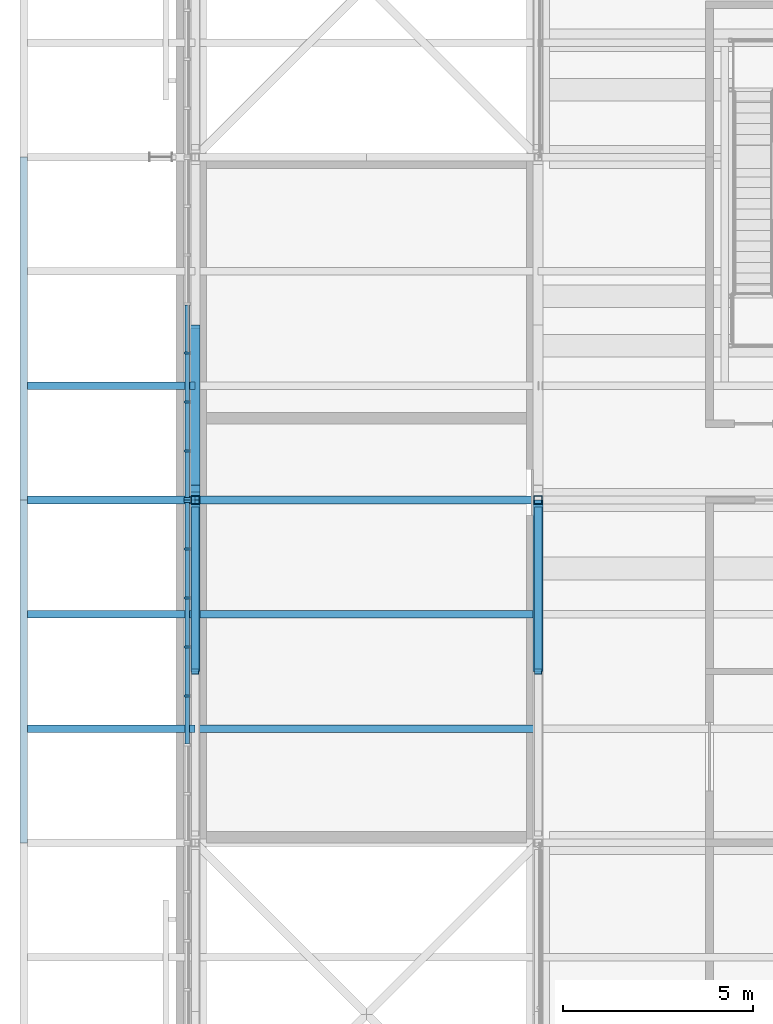
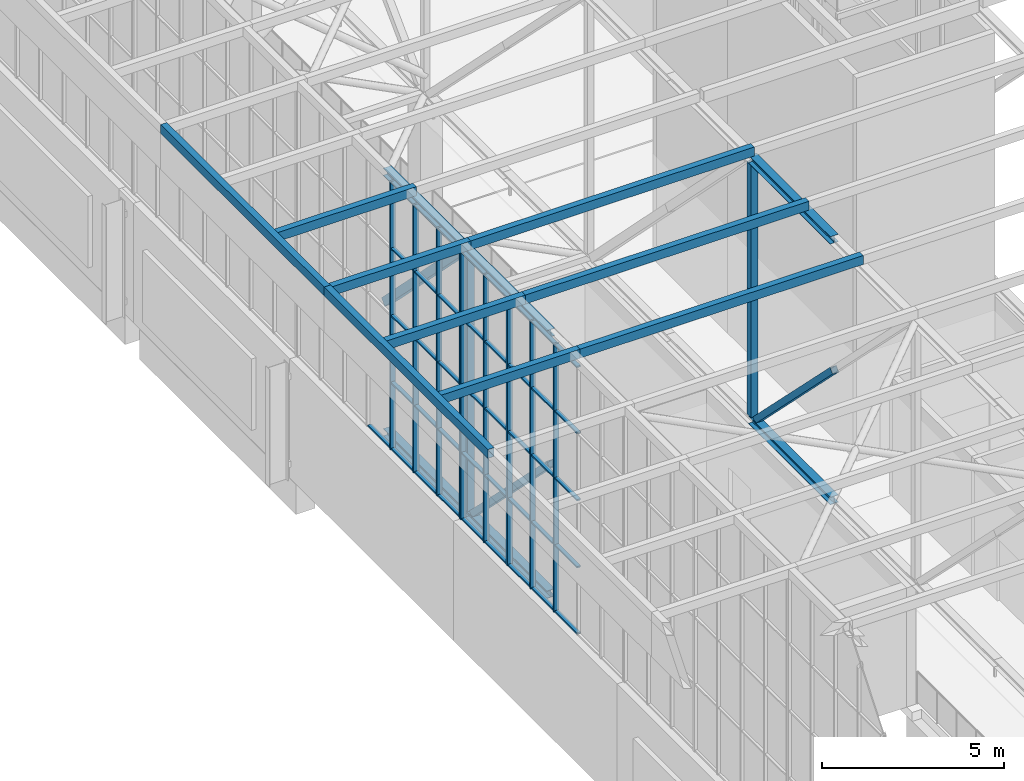
# One storey, part 25 of 646: 72 members, 2 elements without a shape of their own.
"""IFC4 building model written with IfcOpenShell, lengths in metres."""

import ifcopenshell
import ifcopenshell.guid

model = None  # the IFC model being written
_history = None  # IfcOwnerHistory: only IFC2X3 demands one
_inside = {}  # id of a spatial element -> (the spatial element, [elements in it])
_under = {}  # id of a project, library or spatial element -> (it, [spatial elements below it])
_declared = {}  # id of a project -> (the project, [libraries it declares])
_typed = {}  # id of a type object -> (the type object, [elements of that type])
_made_of = {}  # id of a material, layer set ... -> (it, [elements and type objects made of it])


def new_model(schema):
    """Start an empty IFC model of exactly this schema.

    Asked for "IFC4X3", IfcOpenShell would pick the latest addendum, in which some entities
    have other attributes; the version numbers below select the first issue.
    IFC2X3 requires an IfcOwnerHistory on every rooted entity: one is made here for all.
    """
    global model, _history
    if schema == "IFC4X3":
        model = ifcopenshell.file(schema_version=(4, 3, 0, 0))
    else:
        model = ifcopenshell.file(schema=schema)
    _inside.clear()
    _under.clear()
    _declared.clear()
    _typed.clear()
    _made_of.clear()
    _history = None
    if model.schema == "IFC2X3":
        org = make("IfcOrganization", Name="unknown")
        user = make(
            "IfcPersonAndOrganization",
            ThePerson=make("IfcPerson", FamilyName="unknown"),
            TheOrganization=org,
        )
        app = make(
            "IfcApplication",
            ApplicationDeveloper=org,
            Version="unknown",
            ApplicationFullName="unknown",
            ApplicationIdentifier="unknown",
        )
        _history = make(
            "IfcOwnerHistory",
            OwningUser=user,
            OwningApplication=app,
            ChangeAction="ADDED",
            CreationDate=0,
        )
    return model


def make(cls, **values):
    """One entity of the class cls with the attributes given. An attribute that is None is left unset."""
    return model.create_entity(
        cls, **{name: value for name, value in values.items() if value is not None}
    )


def rooted(cls, **values):
    """An entity with a GlobalId (a new one), such as an element, a storey or a relation."""
    return make(cls, GlobalId=ifcopenshell.guid.new(), OwnerHistory=_history, **values)


def si_unit(unit_type, name, prefix=None):
    """IfcSIUnit, for example si_unit("LENGTHUNIT", "METRE", prefix="MILLI")."""
    return make("IfcSIUnit", UnitType=unit_type, Prefix=prefix, Name=name)


def assignment(units):
    """IfcUnitAssignment: the units of a project."""
    return None if units is None else make("IfcUnitAssignment", Units=units)


def point(xyz):
    """IfcCartesianPoint."""
    return None if xyz is None else make("IfcCartesianPoint", Coordinates=xyz)


def direction(xyz):
    """IfcDirection."""
    return None if xyz is None else make("IfcDirection", DirectionRatios=xyz)


def frame(location, z_axis=None, x_axis=None):
    """IfcAxis2Placement3D, a coordinate frame: its origin and axes. An axis left out is left unset."""
    return make(
        "IfcAxis2Placement3D",
        Location=point(location),
        Axis=direction(z_axis),
        RefDirection=direction(x_axis),
    )


def frame_2d(location, x_axis=None):
    """IfcAxis2Placement2D, a coordinate frame in the plane: its origin and x axis."""
    return make(
        "IfcAxis2Placement2D", Location=point(location), RefDirection=direction(x_axis)
    )


def origin():
    """The frame at (0, 0, 0) with its axes left unset."""
    return frame((0.0, 0.0, 0.0))


def origin_2d():
    """The frame at (0, 0) in the plane with its x axis left unset."""
    return frame_2d((0.0, 0.0))


def place(relative_to, where):
    """IfcLocalPlacement: puts the frame where relative to a parent placement (None: the world)."""
    return make(
        "IfcLocalPlacement", PlacementRelTo=relative_to, RelativePlacement=where
    )


def context(
    kind, dimensions, precision=None, world=None, true_north=None, identifier=None
):
    """IfcGeometricRepresentationContext, for example the 3D "Model" context."""
    return make(
        "IfcGeometricRepresentationContext",
        ContextIdentifier=identifier,
        ContextType=kind,
        CoordinateSpaceDimension=dimensions,
        Precision=precision,
        WorldCoordinateSystem=world,
        TrueNorth=true_north,
    )


def subcontext(parent, identifier, kind, view, scale=None):
    """IfcGeometricRepresentationSubContext, for example "Body" below "Model"."""
    return make(
        "IfcGeometricRepresentationSubContext",
        ContextIdentifier=identifier,
        ContextType=kind,
        ParentContext=parent,
        TargetScale=scale,
        TargetView=view,
    )


def project(units=None, contexts=None):
    """IfcProject with its units and contexts."""
    return rooted(
        "IfcProject",
        Name="project",
        RepresentationContexts=contexts,
        UnitsInContext=assignment(units),
    )


def spatial(cls, under=None, at=None, **own):
    """A site, building, storey or space (cls), placed at a placement, below another one or the project."""
    s = rooted(cls, ObjectPlacement=at, **own)
    if under is not None:
        _under.setdefault(under.id(), (under, []))[1].append(s)
    return s


def profile(cls, at=None, kind="AREA", **sizes):
    """A parametric profile (cls). Its sizes go by their IFC names, for example OverallWidth=200.0."""
    return make(cls, ProfileType=kind, Position=at, **sizes)


def rectangle(**sizes):
    """IfcRectangleProfileDef."""
    return profile("IfcRectangleProfileDef", **sizes)


def hollow_rectangle(**sizes):
    """IfcRectangleHollowProfileDef."""
    return profile("IfcRectangleHollowProfileDef", **sizes)


def i_section(**sizes):
    """IfcIShapeProfileDef."""
    return profile("IfcIShapeProfileDef", **sizes)


def extrude(swept, where, along, depth):
    """IfcExtrudedAreaSolid: the profile swept, set in the frame where, extruded along a direction by depth."""
    return make(
        "IfcExtrudedAreaSolid",
        SweptArea=swept,
        Position=where,
        ExtrudedDirection=direction(along),
        Depth=depth,
    )


def shape(context_of_items, identifier, shape_type, items):
    """IfcShapeRepresentation: the items that make up one representation, for example the "Body"."""
    return make(
        "IfcShapeRepresentation",
        ContextOfItems=context_of_items,
        RepresentationIdentifier=identifier,
        RepresentationType=shape_type,
        Items=items,
    )


def material(Name=None, Category=None):
    """IfcMaterial."""
    return make("IfcMaterial", Name=Name, Category=Category)


def material_profile(
    of_material, cross_section, Name=None, Category=None, Priority=None
):
    """IfcMaterialProfile: a cross section and its material."""
    return make(
        "IfcMaterialProfile",
        Name=Name,
        Material=of_material,
        Profile=cross_section,
        Priority=Priority,
        Category=Category,
    )


def profile_set(profiles, Name=None, composite=None):
    """IfcMaterialProfileSet."""
    return make(
        "IfcMaterialProfileSet",
        Name=Name,
        MaterialProfiles=profiles,
        CompositeProfile=composite,
    )


def made_of(thing, what):
    """Note that an element or type object is made of a material, layer set ...; save() writes the relation."""
    if what is not None:
        _made_of.setdefault(what.id(), (what, []))[1].append(thing)
    return thing


def type_object(cls, material=None, **own):
    """A type object (cls), such as IfcWallType, which elements share."""
    return made_of(rooted(cls, **own), material)


def element(
    cls,
    number,
    at=None,
    inside=None,
    cuts=None,
    type_object=None,
    material=None,
    context=None,
    identifier="Body",
    shape_type=None,
    held_by="IfcProductDefinitionShape",
    body=None,
    shapes=None,
    **own,
):
    """One element of the class cls, such as IfcWall. Its Tag is "e" and its number.

    at: its placement. inside: the storey or other place that contains it. cuts: it is an
    opening in that element (IfcRelVoidsElement). A single representation is given by context,
    identifier, shape_type and body (its items); several are given by shapes. held_by: the class
    of the entity that holds the representations. save() writes the other relations.
    """
    e = rooted(cls, Tag="e%d" % number, ObjectPlacement=at, **own)
    if body is not None:
        shapes = [shape(context, identifier, shape_type, body)]
    if shapes is not None:
        e.Representation = make(held_by, Representations=shapes)
    if inside is not None:
        _inside.setdefault(inside.id(), (inside, []))[1].append(e)
    if cuts is not None:
        rooted(
            "IfcRelVoidsElement", RelatingBuildingElement=cuts, RelatedOpeningElement=e
        )
    if type_object is not None:
        _typed.setdefault(type_object.id(), (type_object, []))[1].append(e)
    return made_of(e, material)


def aggregate(whole, parts):
    """IfcRelAggregates: a whole, such as a stair, and the parts it consists of."""
    return rooted("IfcRelAggregates", RelatingObject=whole, RelatedObjects=parts)


def save(model, path):
    """Write the relations noted so far, then the file.

    IfcRelAggregates (storeys below a building ...), IfcRelContainedInSpatialStructure (elements
    in a storey), IfcRelDefinesByType, IfcRelAssociatesMaterial and IfcRelDeclares: one each for
    every whole, place, type object, material and project.
    """
    for whole, parts in _under.values():
        aggregate(whole, parts)
    for where, things in _inside.values():
        rooted(
            "IfcRelContainedInSpatialStructure",
            RelatedElements=things,
            RelatingStructure=where,
        )
    for kind, things in _typed.values():
        rooted("IfcRelDefinesByType", RelatedObjects=things, RelatingType=kind)
    for what, things in _made_of.values():
        rooted("IfcRelAssociatesMaterial", RelatedObjects=things, RelatingMaterial=what)
    for by, libraries in _declared.values():
        rooted("IfcRelDeclares", RelatingContext=by, RelatedDefinitions=libraries)
    model.write(path)


model = new_model("IFC4")

# Units and contexts
model_context = context("Model", 3, precision=1e-05, world=origin(), true_north=direction((0.0, 1.0)))
body_context = subcontext(model_context, "Body", "Model", "MODEL_VIEW")
ifc_project = project(units=[si_unit("LENGTHUNIT", "METRE"), si_unit("AREAUNIT", "SQUARE_METRE"), si_unit("VOLUMEUNIT", "CUBIC_METRE"), si_unit("PLANEANGLEUNIT", "RADIAN"), si_unit("MASSUNIT", "GRAM", prefix="KILO")], contexts=[model_context])

# Site, building, storey
site_placement = place(None, origin())
site = spatial("IfcSite", under=ifc_project, at=site_placement, CompositionType="ELEMENT")
building_placement = place(site_placement, origin())
building = spatial("IfcBuilding", under=site, at=building_placement, Name="Silverbay Arena", CompositionType="ELEMENT")
storey_placement = place(building_placement, frame((0.0, 0.0, 33.5)))
storey = spatial("IfcBuildingStorey", under=building, at=storey_placement, Name="L05", CompositionType="ELEMENT", Elevation=33.5)

# Curtain wall, members
ifc_material_1 = material(Name="Aluminium framed glazing", Category="aluminium")
curtain_wall_type = type_object("IfcCurtainWallType", Name="Curtain wall clerestory 9000 x 9000", PredefinedType="NOTDEFINED", material=ifc_material_1)
curtain_wall_1_placement = place(storey_placement, origin())
curtain_wall_1 = element("IfcCurtainWall", 1, at=curtain_wall_1_placement, inside=storey, type_object=curtain_wall_type, Name="ROOF GABLE CLERESTORY CURTAIN WALL west bay 06", PredefinedType="NOTDEFINED")
ifc_material_2 = material(Name="Aluminium", Category="aluminium")
ifc_material_profile_1 = material_profile(ifc_material_2, rectangle(XDim=0.159912109375, YDim=0.06005859375, at=origin_2d()), Name="Mullion 60 x 160")
ifc_profile_set_1 = profile_set([ifc_material_profile_1], Name="Aluminium")
member_type_1 = type_object("IfcMemberType", Name="Mullion 60 x 160", PredefinedType="MULLION", material=ifc_profile_set_1)
member_1_placement = place(storey_placement, frame((53.7900390625, 57.857177734375, 4.0), z_axis=(0.0, 0.0, 1.0), x_axis=(-1.0, 0.0, 0.0)))
member_1 = element("IfcMember", 2, at=member_1_placement, type_object=member_type_1, Name="CW60 mullion 4", PredefinedType="MULLION", context=body_context, shape_type="SweptSolid", body=[
    extrude(rectangle(XDim=0.159912109375, YDim=0.06005859375, at=origin_2d()), origin(), (0.0, 0.0, 1.0), 9.0),
])
member_2_placement = place(storey_placement, frame((53.7900390625, 59.142822265625, 4.0), z_axis=(0.0, 0.0, 1.0), x_axis=(-1.0, 0.0, 0.0)))
member_2 = element("IfcMember", 3, at=member_2_placement, type_object=member_type_1, Name="CW60 mullion 5", PredefinedType="MULLION", context=body_context, shape_type="SweptSolid", body=[
    extrude(rectangle(XDim=0.159912109375, YDim=0.06005859375, at=origin_2d()), origin(), (0.0, 0.0, 1.0), 9.0),
])
member_3_placement = place(storey_placement, frame((53.7900390625, 60.428466796875, 4.0), z_axis=(0.0, 0.0, 1.0), x_axis=(-1.0, 0.0, 0.0)))
member_3 = element("IfcMember", 4, at=member_3_placement, type_object=member_type_1, Name="CW60 mullion 6", PredefinedType="MULLION", context=body_context, shape_type="SweptSolid", body=[
    extrude(rectangle(XDim=0.159912109375, YDim=0.06005859375, at=origin_2d()), origin(), (0.0, 0.0, 1.0), 9.0),
])
member_4_placement = place(storey_placement, frame((53.7900390625, 61.71435546875, 4.0), z_axis=(0.0, 0.0, 1.0), x_axis=(-1.0, 0.0, 0.0)))
member_4 = element("IfcMember", 5, at=member_4_placement, type_object=member_type_1, Name="CW60 mullion 7", PredefinedType="MULLION", context=body_context, shape_type="SweptSolid", body=[
    extrude(rectangle(XDim=0.159912109375, YDim=0.06005859375, at=origin_2d()), origin(), (0.0, 0.0, 1.0), 9.0),
])
member_5_placement = place(storey_placement, frame((53.7900390625, 62.969970703125, 4.0), z_axis=(0.0, 0.0, 1.0), x_axis=(-1.0, 0.0, 0.0)))
member_5 = element("IfcMember", 6, at=member_5_placement, type_object=member_type_1, Name="CW60 mullion 8", PredefinedType="MULLION", context=body_context, shape_type="SweptSolid", body=[
    extrude(rectangle(XDim=0.159912109375, YDim=0.06005859375, at=origin_2d()), origin(), (0.0, 0.0, 1.0), 9.0),
])

curtain_wall_2_placement = place(storey_placement, origin())
curtain_wall_2 = element("IfcCurtainWall", 7, at=curtain_wall_2_placement, inside=storey, type_object=curtain_wall_type, Name="ROOF GABLE CLERESTORY CURTAIN WALL west bay 07", PredefinedType="NOTDEFINED")
member_6_placement = place(storey_placement, frame((53.7900390625, 63.030029296875, 4.0), z_axis=(0.0, 0.0, 1.0), x_axis=(-1.0, 0.0, 0.0)))
member_6 = element("IfcMember", 8, at=member_6_placement, type_object=member_type_1, Name="CW60 mullion 1", PredefinedType="MULLION", context=body_context, shape_type="SweptSolid", body=[
    extrude(rectangle(XDim=0.159912109375, YDim=0.06005859375, at=origin_2d()), origin(), (0.0, 0.0, 1.0), 9.0),
])
member_7_placement = place(storey_placement, frame((53.7900390625, 64.28564453125, 4.0), z_axis=(0.0, 0.0, 1.0), x_axis=(-1.0, 0.0, 0.0)))
member_7 = element("IfcMember", 9, at=member_7_placement, type_object=member_type_1, Name="CW60 mullion 2", PredefinedType="MULLION", context=body_context, shape_type="SweptSolid", body=[
    extrude(rectangle(XDim=0.159912109375, YDim=0.06005859375, at=origin_2d()), origin(), (0.0, 0.0, 1.0), 9.0),
])
member_8_placement = place(storey_placement, frame((53.7900390625, 65.571533203125, 4.0), z_axis=(0.0, 0.0, 1.0), x_axis=(-1.0, 0.0, 0.0)))
member_8 = element("IfcMember", 10, at=member_8_placement, type_object=member_type_1, Name="CW60 mullion 3", PredefinedType="MULLION", context=body_context, shape_type="SweptSolid", body=[
    extrude(rectangle(XDim=0.159912109375, YDim=0.06005859375, at=origin_2d()), origin(), (0.0, 0.0, 1.0), 9.0),
])
member_9_placement = place(storey_placement, frame((53.7900390625, 66.857177734375, 4.0), z_axis=(0.0, 0.0, 1.0), x_axis=(-1.0, 0.0, 0.0)))
member_9 = element("IfcMember", 11, at=member_9_placement, type_object=member_type_1, Name="CW60 mullion 4", PredefinedType="MULLION", context=body_context, shape_type="SweptSolid", body=[
    extrude(rectangle(XDim=0.159912109375, YDim=0.06005859375, at=origin_2d()), origin(), (0.0, 0.0, 1.0), 9.0),
])

# Members
ifc_material_3 = material(Name="Steel S355", Category="steel")
ifc_material_profile_2 = material_profile(ifc_material_3, hollow_rectangle(XDim=0.199951171875, YDim=0.300048828125, WallThickness=0.008056640625, at=origin_2d()), Name="RHS 300x200x8")
ifc_profile_set_2 = profile_set([ifc_material_profile_2], Name="Steel S355")
member_type_2 = type_object("IfcMemberType", Name="Purlin RHS 300x200x8", PredefinedType="PURLIN", material=ifc_profile_set_2)
for number, where, z_axis, x_axis, name in (
    (12, (54.0, 57.0, 13.14990234375), (1.0, 0.0, 0.0), (0.0, 1.0, 0.0), "ROOF PURLIN 7-8 line 17"),
    (13, (54.0, 60.0, 13.14990234375), (1.0, 0.0, 0.0), (0.0, 1.0, 0.0), "ROOF PURLIN 7-8 line 18"),
    (14, (54.0, 63.0, 13.14990234375), (1.0, 0.0, 0.0), (0.0, 1.0, 0.0), "ROOF PURLIN 7-8 line 19"),
):
    element("IfcMember", number, at=place(storey_placement, frame(where, z_axis=z_axis, x_axis=x_axis)), inside=storey, type_object=member_type_2, Name=name, PredefinedType="PURLIN", context=body_context, shape_type="SweptSolid", body=[
        extrude(hollow_rectangle(XDim=0.199951171875, YDim=0.300048828125, WallThickness=0.008056640625, at=origin_2d()), origin(), (0.0, 0.0, 1.0), 9.0),
    ])
for number, where, z_axis, x_axis, name in (
    (15, (49.60009765625, 57.0, 13.14990234375), (1.0, 0.0, 0.0), (0.0, 1.0, 0.0), "ROOF PURLIN west eave line 17"),
    (16, (49.60009765625, 60.0, 13.14990234375), (1.0, 0.0, 0.0), (0.0, 1.0, 0.0), "ROOF PURLIN west eave line 18"),
    (17, (49.60009765625, 63.0, 13.14990234375), (1.0, 0.0, 0.0), (0.0, 1.0, 0.0), "ROOF PURLIN west eave line 19"),
    (18, (49.60009765625, 66.0, 13.14990234375), (1.0, 0.0, 0.0), (0.0, 1.0, 0.0), "ROOF PURLIN west eave line 20"),
):
    element("IfcMember", number, at=place(storey_placement, frame(where, z_axis=z_axis, x_axis=x_axis)), inside=storey, type_object=member_type_2, Name=name, PredefinedType="PURLIN", context=body_context, shape_type="SweptSolid", body=[
        extrude(hollow_rectangle(XDim=0.199951171875, YDim=0.300048828125, WallThickness=0.008056640625, at=origin_2d()), origin(), (0.0, 0.0, 1.0), 4.39990234375),
    ])
for number, where, z_axis, x_axis, name in (
    (19, (49.5, 54.0, 13.14990234375), (0.0, 1.0, 0.0), (-1.0, 0.0, 0.0), "ROOF PURLIN west eave edge 06"),
    (20, (49.5, 63.0, 13.14990234375), (0.0, 1.0, 0.0), (-1.0, 0.0, 0.0), "ROOF PURLIN west eave edge 07"),
):
    element("IfcMember", number, at=place(storey_placement, frame(where, z_axis=z_axis, x_axis=x_axis)), inside=storey, type_object=member_type_2, Name=name, PredefinedType="PURLIN", context=body_context, shape_type="SweptSolid", body=[
        extrude(hollow_rectangle(XDim=0.199951171875, YDim=0.300048828125, WallThickness=0.008056640625, at=origin_2d()), origin(), (0.0, 0.0, 1.0), 9.0),
    ])
ifc_material_4 = material(Name="Steel S355", Category="steel")
ifc_material_profile_3 = material_profile(ifc_material_4, i_section(OverallWidth=0.254638671875, OverallDepth=0.254150390625, WebThickness=0.008544921875, FlangeThickness=0.01416015625, at=origin_2d()), Name="UC 254x254x73")
ifc_profile_set_3 = profile_set([ifc_material_profile_3], Name="Steel S355")
member_type_3 = type_object("IfcMemberType", Name="Short-span bottom chord UC 254x254x73", PredefinedType="CHORD", material=ifc_profile_set_3)
for number, where, z_axis, x_axis, name in (
    (21, (54.0, 58.5, 4.126953125), (0.0, 1.0, 0.0), (-1.0, 0.0, 0.0), "ROOF TRUSS 7 bottom chord 06b"),
    (22, (54.0, 63.0, 4.126953125), (0.0, 1.0, 0.0), (-1.0, 0.0, 0.0), "ROOF TRUSS 7 bottom chord 07a"),
    (23, (63.0, 58.5, 4.126953125), (0.0, 1.0, 0.0), (-1.0, 0.0, 0.0), "ROOF TRUSS 8 bottom chord 06b"),
):
    element("IfcMember", number, at=place(storey_placement, frame(where, z_axis=z_axis, x_axis=x_axis)), inside=storey, type_object=member_type_3, Name=name, PredefinedType="CHORD", context=body_context, shape_type="SweptSolid", body=[
        extrude(i_section(OverallWidth=0.254638671875, OverallDepth=0.254150390625, WebThickness=0.008544921875, FlangeThickness=0.01416015625, at=origin_2d()), origin(), (0.0, 0.0, 1.0), 4.5),
    ])
ifc_material_5 = material(Name="Steel S355", Category="steel")
ifc_material_profile_4 = material_profile(ifc_material_5, i_section(OverallWidth=0.254638671875, OverallDepth=0.254150390625, WebThickness=0.008544921875, FlangeThickness=0.01416015625, at=origin_2d()), Name="UC 254x254x73")
ifc_profile_set_4 = profile_set([ifc_material_profile_4], Name="Steel S355")
member_type_4 = type_object("IfcMemberType", Name="Short-span top chord UC 254x254x73", PredefinedType="CHORD", material=ifc_profile_set_4)
for number, where, z_axis, x_axis, name in (
    (24, (54.0, 58.5, 12.873046875), (0.0, 1.0, 0.0), (-1.0, 0.0, 0.0), "ROOF TRUSS 7 top chord 06b"),
    (25, (54.0, 63.0, 12.873046875), (0.0, 1.0, 0.0), (-1.0, 0.0, 0.0), "ROOF TRUSS 7 top chord 07a"),
    (26, (63.0, 58.5, 12.873046875), (0.0, 1.0, 0.0), (-1.0, 0.0, 0.0), "ROOF TRUSS 8 top chord 06b"),
):
    element("IfcMember", number, at=place(storey_placement, frame(where, z_axis=z_axis, x_axis=x_axis)), inside=storey, type_object=member_type_4, Name=name, PredefinedType="CHORD", context=body_context, shape_type="SweptSolid", body=[
        extrude(i_section(OverallWidth=0.254638671875, OverallDepth=0.254150390625, WebThickness=0.008544921875, FlangeThickness=0.01416015625, at=origin_2d()), origin(), (0.0, 0.0, 1.0), 4.5),
    ])
ifc_material_6 = material(Name="Steel S355", Category="steel")
ifc_material_profile_5 = material_profile(ifc_material_6, hollow_rectangle(XDim=0.199951171875, YDim=0.199951171875, WallThickness=0.008056640625, at=origin_2d()), Name="SHS 200x200x8")
ifc_profile_set_5 = profile_set([ifc_material_profile_5], Name="Steel S355")
member_type_5 = type_object("IfcMemberType", Name="Short-span truss diagonal SHS 200x200x8", PredefinedType="BRACE", material=ifc_profile_set_5)
for number, where, z_axis, x_axis, name in (
    (27, (54.0, 58.4951171875, 8.5), (0.0, 0.707391224876, -0.706822223029), (-1.0, 0.0, 0.0), "ROOF TRUSS 7 diagonal 06b"),
    (28, (63.0, 58.4951171875, 8.5), (0.0, 0.707391224876, -0.706822223029), (-1.0, 0.0, 0.0), "ROOF TRUSS 8 diagonal 06b"),
):
    element("IfcMember", number, at=place(storey_placement, frame(where, z_axis=z_axis, x_axis=x_axis)), inside=storey, type_object=member_type_5, Name=name, PredefinedType="BRACE", context=body_context, shape_type="SweptSolid", body=[
        extrude(hollow_rectangle(XDim=0.199951171875, YDim=0.199951171875, WallThickness=0.008056640625, at=origin_2d()), origin(), (0.0, 0.0, 1.0), 6.0068359375),
    ])
ifc_material_7 = material(Name="Steel S355", Category="steel")
ifc_material_profile_6 = material_profile(ifc_material_7, hollow_rectangle(XDim=0.260009765625, YDim=0.260009765625, WallThickness=0.010009765625, at=origin_2d()), Name="SHS 260x260x10")
ifc_profile_set_6 = profile_set([ifc_material_profile_6], Name="Steel S355")
member_type_6 = type_object("IfcMemberType", Name="Short-span truss diagonal SHS 260x260x10", PredefinedType="BRACE", material=ifc_profile_set_6)
member_10_placement = place(storey_placement, frame((54.0, 63.29931640625, 12.745849609375), z_axis=(0.0, 0.703728402193, -0.710469095701), x_axis=(-1.0, 0.0, 0.0)))
element("IfcMember", 29, at=member_10_placement, inside=storey, type_object=member_type_6, Name="ROOF TRUSS 7 diagonal 07a", PredefinedType="BRACE", context=body_context, shape_type="SweptSolid", body=[
    extrude(hollow_rectangle(XDim=0.260009765625, YDim=0.260009765625, WallThickness=0.010009765625, at=origin_2d()), origin(), (0.0, 0.0, 1.0), 5.97607421875),
])
ifc_material_8 = material(Name="Steel S355", Category="steel")
ifc_material_profile_7 = material_profile(ifc_material_8, hollow_rectangle(XDim=0.219970703125, YDim=0.219970703125, WallThickness=0.008056640625, at=origin_2d()), Name="SHS 220x220x8")
ifc_profile_set_7 = profile_set([ifc_material_profile_7], Name="Steel S355")
member_type_7 = type_object("IfcMemberType", Name="Short-span truss vertical SHS 220x220x8", PredefinedType="STRUT", material=ifc_profile_set_7)
for number, where, z_axis, x_axis, name in (
    (30, (54.0, 63.0, 4.254150390625), (0.0, 0.0, 1.0), (1.0, 0.0, 0.0), "ROOF TRUSS 7 vertical 07a"),
    (31, (54.0, 63.0, 8.5), (0.0, 0.0, 1.0), (1.0, 0.0, 0.0), "ROOF TRUSS 7 vertical 07b"),
    (32, (63.0, 63.0, 4.254150390625), (0.0, 0.0, 1.0), (1.0, 0.0, 0.0), "ROOF TRUSS 8 vertical 07a"),
    (33, (63.0, 63.0, 8.5), (0.0, 0.0, 1.0), (1.0, 0.0, 0.0), "ROOF TRUSS 8 vertical 07b"),
):
    element("IfcMember", number, at=place(storey_placement, frame(where, z_axis=z_axis, x_axis=x_axis)), inside=storey, type_object=member_type_7, Name=name, PredefinedType="STRUT", context=body_context, shape_type="SweptSolid", body=[
        extrude(hollow_rectangle(XDim=0.219970703125, YDim=0.219970703125, WallThickness=0.008056640625, at=origin_2d()), origin(), (0.0, 0.0, 1.0), 4.245849609375),
    ])

# Member
ifc_material_9 = material(Name="Aluminium", Category="aluminium")
ifc_material_profile_8 = material_profile(ifc_material_9, rectangle(XDim=0.1201171875, YDim=0.050048828125, at=origin_2d()), Name="Transom 50 x 120")
ifc_profile_set_8 = profile_set([ifc_material_profile_8], Name="Aluminium")
member_type_8 = type_object("IfcMemberType", Name="Transom 50 x 120", PredefinedType="USERDEFINED", material=ifc_profile_set_8)
member_11_placement = place(storey_placement, frame((53.7900390625, 56.601318359375, 4.02490234375), z_axis=(0.0, 1.0, 0.0), x_axis=(-1.0, 0.0, 0.0)))
member_11 = element("IfcMember", 34, at=member_11_placement, type_object=member_type_8, Name="CW60 transom 3.1", ObjectType="TRANSOM", PredefinedType="USERDEFINED", context=body_context, shape_type="SweptSolid", body=[
    extrude(rectangle(XDim=0.1201171875, YDim=0.050048828125, at=origin_2d()), origin(), (0.0, 0.0, 1.0), 1.225830078125),
])

member_12_placement = place(storey_placement, frame((53.7900390625, 56.601318359375, 6.25), z_axis=(0.0, 1.0, 0.0), x_axis=(-1.0, 0.0, 0.0)))
member_12 = element("IfcMember", 35, at=member_12_placement, type_object=member_type_8, Name="CW60 transom 3.2", ObjectType="TRANSOM", PredefinedType="USERDEFINED", context=body_context, shape_type="SweptSolid", body=[
    extrude(rectangle(XDim=0.1201171875, YDim=0.050048828125, at=origin_2d()), origin(), (0.0, 0.0, 1.0), 1.225830078125),
])

member_13_placement = place(storey_placement, frame((53.7900390625, 56.601318359375, 8.5), z_axis=(0.0, 1.0, 0.0), x_axis=(-1.0, 0.0, 0.0)))
member_13 = element("IfcMember", 36, at=member_13_placement, type_object=member_type_8, Name="CW60 transom 3.3", ObjectType="TRANSOM", PredefinedType="USERDEFINED", context=body_context, shape_type="SweptSolid", body=[
    extrude(rectangle(XDim=0.1201171875, YDim=0.050048828125, at=origin_2d()), origin(), (0.0, 0.0, 1.0), 1.225830078125),
])

member_14_placement = place(storey_placement, frame((53.7900390625, 56.601318359375, 10.75), z_axis=(0.0, 1.0, 0.0), x_axis=(-1.0, 0.0, 0.0)))
member_14 = element("IfcMember", 37, at=member_14_placement, type_object=member_type_8, Name="CW60 transom 3.4", ObjectType="TRANSOM", PredefinedType="USERDEFINED", context=body_context, shape_type="SweptSolid", body=[
    extrude(rectangle(XDim=0.1201171875, YDim=0.050048828125, at=origin_2d()), origin(), (0.0, 0.0, 1.0), 1.225830078125),
])

member_15_placement = place(storey_placement, frame((53.7900390625, 56.601318359375, 12.97509765625), z_axis=(0.0, 1.0, 0.0), x_axis=(-1.0, 0.0, 0.0)))
member_15 = element("IfcMember", 38, at=member_15_placement, type_object=member_type_8, Name="CW60 transom 3.5", ObjectType="TRANSOM", PredefinedType="USERDEFINED", context=body_context, shape_type="SweptSolid", body=[
    extrude(rectangle(XDim=0.1201171875, YDim=0.050048828125, at=origin_2d()), origin(), (0.0, 0.0, 1.0), 1.225830078125),
])

member_16_placement = place(storey_placement, frame((53.7900390625, 57.88720703125, 4.02490234375), z_axis=(0.0, 1.0, 0.0), x_axis=(-1.0, 0.0, 0.0)))
member_16 = element("IfcMember", 39, at=member_16_placement, type_object=member_type_8, Name="CW60 transom 4.1", ObjectType="TRANSOM", PredefinedType="USERDEFINED", context=body_context, shape_type="SweptSolid", body=[
    extrude(rectangle(XDim=0.1201171875, YDim=0.050048828125, at=origin_2d()), origin(), (0.0, 0.0, 1.0), 1.2255859375),
])

member_17_placement = place(storey_placement, frame((53.7900390625, 57.88720703125, 6.25), z_axis=(0.0, 1.0, 0.0), x_axis=(-1.0, 0.0, 0.0)))
member_17 = element("IfcMember", 40, at=member_17_placement, type_object=member_type_8, Name="CW60 transom 4.2", ObjectType="TRANSOM", PredefinedType="USERDEFINED", context=body_context, shape_type="SweptSolid", body=[
    extrude(rectangle(XDim=0.1201171875, YDim=0.050048828125, at=origin_2d()), origin(), (0.0, 0.0, 1.0), 1.2255859375),
])

member_18_placement = place(storey_placement, frame((53.7900390625, 57.88720703125, 8.5), z_axis=(0.0, 1.0, 0.0), x_axis=(-1.0, 0.0, 0.0)))
member_18 = element("IfcMember", 41, at=member_18_placement, type_object=member_type_8, Name="CW60 transom 4.3", ObjectType="TRANSOM", PredefinedType="USERDEFINED", context=body_context, shape_type="SweptSolid", body=[
    extrude(rectangle(XDim=0.1201171875, YDim=0.050048828125, at=origin_2d()), origin(), (0.0, 0.0, 1.0), 1.2255859375),
])

member_19_placement = place(storey_placement, frame((53.7900390625, 57.88720703125, 10.75), z_axis=(0.0, 1.0, 0.0), x_axis=(-1.0, 0.0, 0.0)))
member_19 = element("IfcMember", 42, at=member_19_placement, type_object=member_type_8, Name="CW60 transom 4.4", ObjectType="TRANSOM", PredefinedType="USERDEFINED", context=body_context, shape_type="SweptSolid", body=[
    extrude(rectangle(XDim=0.1201171875, YDim=0.050048828125, at=origin_2d()), origin(), (0.0, 0.0, 1.0), 1.2255859375),
])

member_20_placement = place(storey_placement, frame((53.7900390625, 57.88720703125, 12.97509765625), z_axis=(0.0, 1.0, 0.0), x_axis=(-1.0, 0.0, 0.0)))
member_20 = element("IfcMember", 43, at=member_20_placement, type_object=member_type_8, Name="CW60 transom 4.5", ObjectType="TRANSOM", PredefinedType="USERDEFINED", context=body_context, shape_type="SweptSolid", body=[
    extrude(rectangle(XDim=0.1201171875, YDim=0.050048828125, at=origin_2d()), origin(), (0.0, 0.0, 1.0), 1.2255859375),
])

member_21_placement = place(storey_placement, frame((53.7900390625, 59.1728515625, 4.02490234375), z_axis=(0.0, 1.0, 0.0), x_axis=(-1.0, 0.0, 0.0)))
member_21 = element("IfcMember", 44, at=member_21_placement, type_object=member_type_8, Name="CW60 transom 5.1", ObjectType="TRANSOM", PredefinedType="USERDEFINED", context=body_context, shape_type="SweptSolid", body=[
    extrude(rectangle(XDim=0.1201171875, YDim=0.050048828125, at=origin_2d()), origin(), (0.0, 0.0, 1.0), 1.225830078125),
])

member_22_placement = place(storey_placement, frame((53.7900390625, 59.1728515625, 6.25), z_axis=(0.0, 1.0, 0.0), x_axis=(-1.0, 0.0, 0.0)))
member_22 = element("IfcMember", 45, at=member_22_placement, type_object=member_type_8, Name="CW60 transom 5.2", ObjectType="TRANSOM", PredefinedType="USERDEFINED", context=body_context, shape_type="SweptSolid", body=[
    extrude(rectangle(XDim=0.1201171875, YDim=0.050048828125, at=origin_2d()), origin(), (0.0, 0.0, 1.0), 1.225830078125),
])

member_23_placement = place(storey_placement, frame((53.7900390625, 59.1728515625, 8.5), z_axis=(0.0, 1.0, 0.0), x_axis=(-1.0, 0.0, 0.0)))
member_23 = element("IfcMember", 46, at=member_23_placement, type_object=member_type_8, Name="CW60 transom 5.3", ObjectType="TRANSOM", PredefinedType="USERDEFINED", context=body_context, shape_type="SweptSolid", body=[
    extrude(rectangle(XDim=0.1201171875, YDim=0.050048828125, at=origin_2d()), origin(), (0.0, 0.0, 1.0), 1.225830078125),
])

member_24_placement = place(storey_placement, frame((53.7900390625, 59.1728515625, 10.75), z_axis=(0.0, 1.0, 0.0), x_axis=(-1.0, 0.0, 0.0)))
member_24 = element("IfcMember", 47, at=member_24_placement, type_object=member_type_8, Name="CW60 transom 5.4", ObjectType="TRANSOM", PredefinedType="USERDEFINED", context=body_context, shape_type="SweptSolid", body=[
    extrude(rectangle(XDim=0.1201171875, YDim=0.050048828125, at=origin_2d()), origin(), (0.0, 0.0, 1.0), 1.225830078125),
])

member_25_placement = place(storey_placement, frame((53.7900390625, 59.1728515625, 12.97509765625), z_axis=(0.0, 1.0, 0.0), x_axis=(-1.0, 0.0, 0.0)))
member_25 = element("IfcMember", 48, at=member_25_placement, type_object=member_type_8, Name="CW60 transom 5.5", ObjectType="TRANSOM", PredefinedType="USERDEFINED", context=body_context, shape_type="SweptSolid", body=[
    extrude(rectangle(XDim=0.1201171875, YDim=0.050048828125, at=origin_2d()), origin(), (0.0, 0.0, 1.0), 1.225830078125),
])

member_26_placement = place(storey_placement, frame((53.7900390625, 60.45849609375, 4.02490234375), z_axis=(0.0, 1.0, 0.0), x_axis=(-1.0, 0.0, 0.0)))
member_26 = element("IfcMember", 49, at=member_26_placement, type_object=member_type_8, Name="CW60 transom 6.1", ObjectType="TRANSOM", PredefinedType="USERDEFINED", context=body_context, shape_type="SweptSolid", body=[
    extrude(rectangle(XDim=0.1201171875, YDim=0.050048828125, at=origin_2d()), origin(), (0.0, 0.0, 1.0), 1.225830078125),
])

member_27_placement = place(storey_placement, frame((53.7900390625, 60.45849609375, 6.25), z_axis=(0.0, 1.0, 0.0), x_axis=(-1.0, 0.0, 0.0)))
member_27 = element("IfcMember", 50, at=member_27_placement, type_object=member_type_8, Name="CW60 transom 6.2", ObjectType="TRANSOM", PredefinedType="USERDEFINED", context=body_context, shape_type="SweptSolid", body=[
    extrude(rectangle(XDim=0.1201171875, YDim=0.050048828125, at=origin_2d()), origin(), (0.0, 0.0, 1.0), 1.225830078125),
])

member_28_placement = place(storey_placement, frame((53.7900390625, 60.45849609375, 8.5), z_axis=(0.0, 1.0, 0.0), x_axis=(-1.0, 0.0, 0.0)))
member_28 = element("IfcMember", 51, at=member_28_placement, type_object=member_type_8, Name="CW60 transom 6.3", ObjectType="TRANSOM", PredefinedType="USERDEFINED", context=body_context, shape_type="SweptSolid", body=[
    extrude(rectangle(XDim=0.1201171875, YDim=0.050048828125, at=origin_2d()), origin(), (0.0, 0.0, 1.0), 1.225830078125),
])

member_29_placement = place(storey_placement, frame((53.7900390625, 60.45849609375, 10.75), z_axis=(0.0, 1.0, 0.0), x_axis=(-1.0, 0.0, 0.0)))
member_29 = element("IfcMember", 52, at=member_29_placement, type_object=member_type_8, Name="CW60 transom 6.4", ObjectType="TRANSOM", PredefinedType="USERDEFINED", context=body_context, shape_type="SweptSolid", body=[
    extrude(rectangle(XDim=0.1201171875, YDim=0.050048828125, at=origin_2d()), origin(), (0.0, 0.0, 1.0), 1.225830078125),
])

member_30_placement = place(storey_placement, frame((53.7900390625, 60.45849609375, 12.97509765625), z_axis=(0.0, 1.0, 0.0), x_axis=(-1.0, 0.0, 0.0)))
member_30 = element("IfcMember", 53, at=member_30_placement, type_object=member_type_8, Name="CW60 transom 6.5", ObjectType="TRANSOM", PredefinedType="USERDEFINED", context=body_context, shape_type="SweptSolid", body=[
    extrude(rectangle(XDim=0.1201171875, YDim=0.050048828125, at=origin_2d()), origin(), (0.0, 0.0, 1.0), 1.225830078125),
])

member_31_placement = place(storey_placement, frame((53.7900390625, 61.744384765625, 4.02490234375), z_axis=(0.0, 1.0, 0.0), x_axis=(-1.0, 0.0, 0.0)))
member_31 = element("IfcMember", 54, at=member_31_placement, type_object=member_type_8, Name="CW60 transom 7.1", ObjectType="TRANSOM", PredefinedType="USERDEFINED", context=body_context, shape_type="SweptSolid", body=[
    extrude(rectangle(XDim=0.1201171875, YDim=0.050048828125, at=origin_2d()), origin(), (0.0, 0.0, 1.0), 1.195556640625),
])

member_32_placement = place(storey_placement, frame((53.7900390625, 61.744384765625, 6.25), z_axis=(0.0, 1.0, 0.0), x_axis=(-1.0, 0.0, 0.0)))
member_32 = element("IfcMember", 55, at=member_32_placement, type_object=member_type_8, Name="CW60 transom 7.2", ObjectType="TRANSOM", PredefinedType="USERDEFINED", context=body_context, shape_type="SweptSolid", body=[
    extrude(rectangle(XDim=0.1201171875, YDim=0.050048828125, at=origin_2d()), origin(), (0.0, 0.0, 1.0), 1.195556640625),
])

member_33_placement = place(storey_placement, frame((53.7900390625, 61.744384765625, 8.5), z_axis=(0.0, 1.0, 0.0), x_axis=(-1.0, 0.0, 0.0)))
member_33 = element("IfcMember", 56, at=member_33_placement, type_object=member_type_8, Name="CW60 transom 7.3", ObjectType="TRANSOM", PredefinedType="USERDEFINED", context=body_context, shape_type="SweptSolid", body=[
    extrude(rectangle(XDim=0.1201171875, YDim=0.050048828125, at=origin_2d()), origin(), (0.0, 0.0, 1.0), 1.195556640625),
])

member_34_placement = place(storey_placement, frame((53.7900390625, 61.744384765625, 10.75), z_axis=(0.0, 1.0, 0.0), x_axis=(-1.0, 0.0, 0.0)))
member_34 = element("IfcMember", 57, at=member_34_placement, type_object=member_type_8, Name="CW60 transom 7.4", ObjectType="TRANSOM", PredefinedType="USERDEFINED", context=body_context, shape_type="SweptSolid", body=[
    extrude(rectangle(XDim=0.1201171875, YDim=0.050048828125, at=origin_2d()), origin(), (0.0, 0.0, 1.0), 1.195556640625),
])

member_35_placement = place(storey_placement, frame((53.7900390625, 61.744384765625, 12.97509765625), z_axis=(0.0, 1.0, 0.0), x_axis=(-1.0, 0.0, 0.0)))
member_35 = element("IfcMember", 58, at=member_35_placement, type_object=member_type_8, Name="CW60 transom 7.5", ObjectType="TRANSOM", PredefinedType="USERDEFINED", context=body_context, shape_type="SweptSolid", body=[
    extrude(rectangle(XDim=0.1201171875, YDim=0.050048828125, at=origin_2d()), origin(), (0.0, 0.0, 1.0), 1.195556640625),
])

aggregate(curtain_wall_1, [member_1, member_2, member_3, member_4, member_5, member_11, member_12, member_13, member_14, member_15, member_16, member_17, member_18, member_19, member_20, member_21, member_22, member_23, member_24, member_25, member_26, member_27, member_28, member_29, member_30, member_31, member_32, member_33, member_34, member_35])

member_36_placement = place(storey_placement, frame((53.7900390625, 63.06005859375, 4.02490234375), z_axis=(0.0, 1.0, 0.0), x_axis=(-1.0, 0.0, 0.0)))
member_36 = element("IfcMember", 59, at=member_36_placement, type_object=member_type_8, Name="CW60 transom 1.1", ObjectType="TRANSOM", PredefinedType="USERDEFINED", context=body_context, shape_type="SweptSolid", body=[
    extrude(rectangle(XDim=0.1201171875, YDim=0.050048828125, at=origin_2d()), origin(), (0.0, 0.0, 1.0), 1.195556640625),
])

member_37_placement = place(storey_placement, frame((53.7900390625, 63.06005859375, 6.25), z_axis=(0.0, 1.0, 0.0), x_axis=(-1.0, 0.0, 0.0)))
member_37 = element("IfcMember", 60, at=member_37_placement, type_object=member_type_8, Name="CW60 transom 1.2", ObjectType="TRANSOM", PredefinedType="USERDEFINED", context=body_context, shape_type="SweptSolid", body=[
    extrude(rectangle(XDim=0.1201171875, YDim=0.050048828125, at=origin_2d()), origin(), (0.0, 0.0, 1.0), 1.195556640625),
])

member_38_placement = place(storey_placement, frame((53.7900390625, 63.06005859375, 8.5), z_axis=(0.0, 1.0, 0.0), x_axis=(-1.0, 0.0, 0.0)))
member_38 = element("IfcMember", 61, at=member_38_placement, type_object=member_type_8, Name="CW60 transom 1.3", ObjectType="TRANSOM", PredefinedType="USERDEFINED", context=body_context, shape_type="SweptSolid", body=[
    extrude(rectangle(XDim=0.1201171875, YDim=0.050048828125, at=origin_2d()), origin(), (0.0, 0.0, 1.0), 1.195556640625),
])

member_39_placement = place(storey_placement, frame((53.7900390625, 63.06005859375, 10.75), z_axis=(0.0, 1.0, 0.0), x_axis=(-1.0, 0.0, 0.0)))
member_39 = element("IfcMember", 62, at=member_39_placement, type_object=member_type_8, Name="CW60 transom 1.4", ObjectType="TRANSOM", PredefinedType="USERDEFINED", context=body_context, shape_type="SweptSolid", body=[
    extrude(rectangle(XDim=0.1201171875, YDim=0.050048828125, at=origin_2d()), origin(), (0.0, 0.0, 1.0), 1.195556640625),
])

member_40_placement = place(storey_placement, frame((53.7900390625, 63.06005859375, 12.97509765625), z_axis=(0.0, 1.0, 0.0), x_axis=(-1.0, 0.0, 0.0)))
member_40 = element("IfcMember", 63, at=member_40_placement, type_object=member_type_8, Name="CW60 transom 1.5", ObjectType="TRANSOM", PredefinedType="USERDEFINED", context=body_context, shape_type="SweptSolid", body=[
    extrude(rectangle(XDim=0.1201171875, YDim=0.050048828125, at=origin_2d()), origin(), (0.0, 0.0, 1.0), 1.195556640625),
])

member_41_placement = place(storey_placement, frame((53.7900390625, 64.315673828125, 4.02490234375), z_axis=(0.0, 1.0, 0.0), x_axis=(-1.0, 0.0, 0.0)))
member_41 = element("IfcMember", 64, at=member_41_placement, type_object=member_type_8, Name="CW60 transom 2.1", ObjectType="TRANSOM", PredefinedType="USERDEFINED", context=body_context, shape_type="SweptSolid", body=[
    extrude(rectangle(XDim=0.1201171875, YDim=0.050048828125, at=origin_2d()), origin(), (0.0, 0.0, 1.0), 1.225830078125),
])

member_42_placement = place(storey_placement, frame((53.7900390625, 64.315673828125, 6.25), z_axis=(0.0, 1.0, 0.0), x_axis=(-1.0, 0.0, 0.0)))
member_42 = element("IfcMember", 65, at=member_42_placement, type_object=member_type_8, Name="CW60 transom 2.2", ObjectType="TRANSOM", PredefinedType="USERDEFINED", context=body_context, shape_type="SweptSolid", body=[
    extrude(rectangle(XDim=0.1201171875, YDim=0.050048828125, at=origin_2d()), origin(), (0.0, 0.0, 1.0), 1.225830078125),
])

member_43_placement = place(storey_placement, frame((53.7900390625, 64.315673828125, 8.5), z_axis=(0.0, 1.0, 0.0), x_axis=(-1.0, 0.0, 0.0)))
member_43 = element("IfcMember", 66, at=member_43_placement, type_object=member_type_8, Name="CW60 transom 2.3", ObjectType="TRANSOM", PredefinedType="USERDEFINED", context=body_context, shape_type="SweptSolid", body=[
    extrude(rectangle(XDim=0.1201171875, YDim=0.050048828125, at=origin_2d()), origin(), (0.0, 0.0, 1.0), 1.225830078125),
])

member_44_placement = place(storey_placement, frame((53.7900390625, 64.315673828125, 10.75), z_axis=(0.0, 1.0, 0.0), x_axis=(-1.0, 0.0, 0.0)))
member_44 = element("IfcMember", 67, at=member_44_placement, type_object=member_type_8, Name="CW60 transom 2.4", ObjectType="TRANSOM", PredefinedType="USERDEFINED", context=body_context, shape_type="SweptSolid", body=[
    extrude(rectangle(XDim=0.1201171875, YDim=0.050048828125, at=origin_2d()), origin(), (0.0, 0.0, 1.0), 1.225830078125),
])

member_45_placement = place(storey_placement, frame((53.7900390625, 64.315673828125, 12.97509765625), z_axis=(0.0, 1.0, 0.0), x_axis=(-1.0, 0.0, 0.0)))
member_45 = element("IfcMember", 68, at=member_45_placement, type_object=member_type_8, Name="CW60 transom 2.5", ObjectType="TRANSOM", PredefinedType="USERDEFINED", context=body_context, shape_type="SweptSolid", body=[
    extrude(rectangle(XDim=0.1201171875, YDim=0.050048828125, at=origin_2d()), origin(), (0.0, 0.0, 1.0), 1.225830078125),
])

member_46_placement = place(storey_placement, frame((53.7900390625, 65.601318359375, 4.02490234375), z_axis=(0.0, 1.0, 0.0), x_axis=(-1.0, 0.0, 0.0)))
member_46 = element("IfcMember", 69, at=member_46_placement, type_object=member_type_8, Name="CW60 transom 3.1", ObjectType="TRANSOM", PredefinedType="USERDEFINED", context=body_context, shape_type="SweptSolid", body=[
    extrude(rectangle(XDim=0.1201171875, YDim=0.050048828125, at=origin_2d()), origin(), (0.0, 0.0, 1.0), 1.225830078125),
])

member_47_placement = place(storey_placement, frame((53.7900390625, 65.601318359375, 6.25), z_axis=(0.0, 1.0, 0.0), x_axis=(-1.0, 0.0, 0.0)))
member_47 = element("IfcMember", 70, at=member_47_placement, type_object=member_type_8, Name="CW60 transom 3.2", ObjectType="TRANSOM", PredefinedType="USERDEFINED", context=body_context, shape_type="SweptSolid", body=[
    extrude(rectangle(XDim=0.1201171875, YDim=0.050048828125, at=origin_2d()), origin(), (0.0, 0.0, 1.0), 1.225830078125),
])

member_48_placement = place(storey_placement, frame((53.7900390625, 65.601318359375, 8.5), z_axis=(0.0, 1.0, 0.0), x_axis=(-1.0, 0.0, 0.0)))
member_48 = element("IfcMember", 71, at=member_48_placement, type_object=member_type_8, Name="CW60 transom 3.3", ObjectType="TRANSOM", PredefinedType="USERDEFINED", context=body_context, shape_type="SweptSolid", body=[
    extrude(rectangle(XDim=0.1201171875, YDim=0.050048828125, at=origin_2d()), origin(), (0.0, 0.0, 1.0), 1.225830078125),
])

member_49_placement = place(storey_placement, frame((53.7900390625, 65.601318359375, 10.75), z_axis=(0.0, 1.0, 0.0), x_axis=(-1.0, 0.0, 0.0)))
member_49 = element("IfcMember", 72, at=member_49_placement, type_object=member_type_8, Name="CW60 transom 3.4", ObjectType="TRANSOM", PredefinedType="USERDEFINED", context=body_context, shape_type="SweptSolid", body=[
    extrude(rectangle(XDim=0.1201171875, YDim=0.050048828125, at=origin_2d()), origin(), (0.0, 0.0, 1.0), 1.225830078125),
])

member_50_placement = place(storey_placement, frame((53.7900390625, 65.601318359375, 12.97509765625), z_axis=(0.0, 1.0, 0.0), x_axis=(-1.0, 0.0, 0.0)))
member_50 = element("IfcMember", 73, at=member_50_placement, type_object=member_type_8, Name="CW60 transom 3.5", ObjectType="TRANSOM", PredefinedType="USERDEFINED", context=body_context, shape_type="SweptSolid", body=[
    extrude(rectangle(XDim=0.1201171875, YDim=0.050048828125, at=origin_2d()), origin(), (0.0, 0.0, 1.0), 1.225830078125),
])

member_51_placement = place(storey_placement, frame((53.7900390625, 66.88720703125, 4.02490234375), z_axis=(0.0, 1.0, 0.0), x_axis=(-1.0, 0.0, 0.0)))
member_51 = element("IfcMember", 74, at=member_51_placement, type_object=member_type_8, Name="CW60 transom 4.1", ObjectType="TRANSOM", PredefinedType="USERDEFINED", context=body_context, shape_type="SweptSolid", body=[
    extrude(rectangle(XDim=0.1201171875, YDim=0.050048828125, at=origin_2d()), origin(), (0.0, 0.0, 1.0), 1.2255859375),
])

aggregate(curtain_wall_2, [member_6, member_7, member_8, member_9, member_36, member_37, member_38, member_39, member_40, member_41, member_42, member_43, member_44, member_45, member_46, member_47, member_48, member_49, member_50, member_51])

save(model, "model.ifc")
